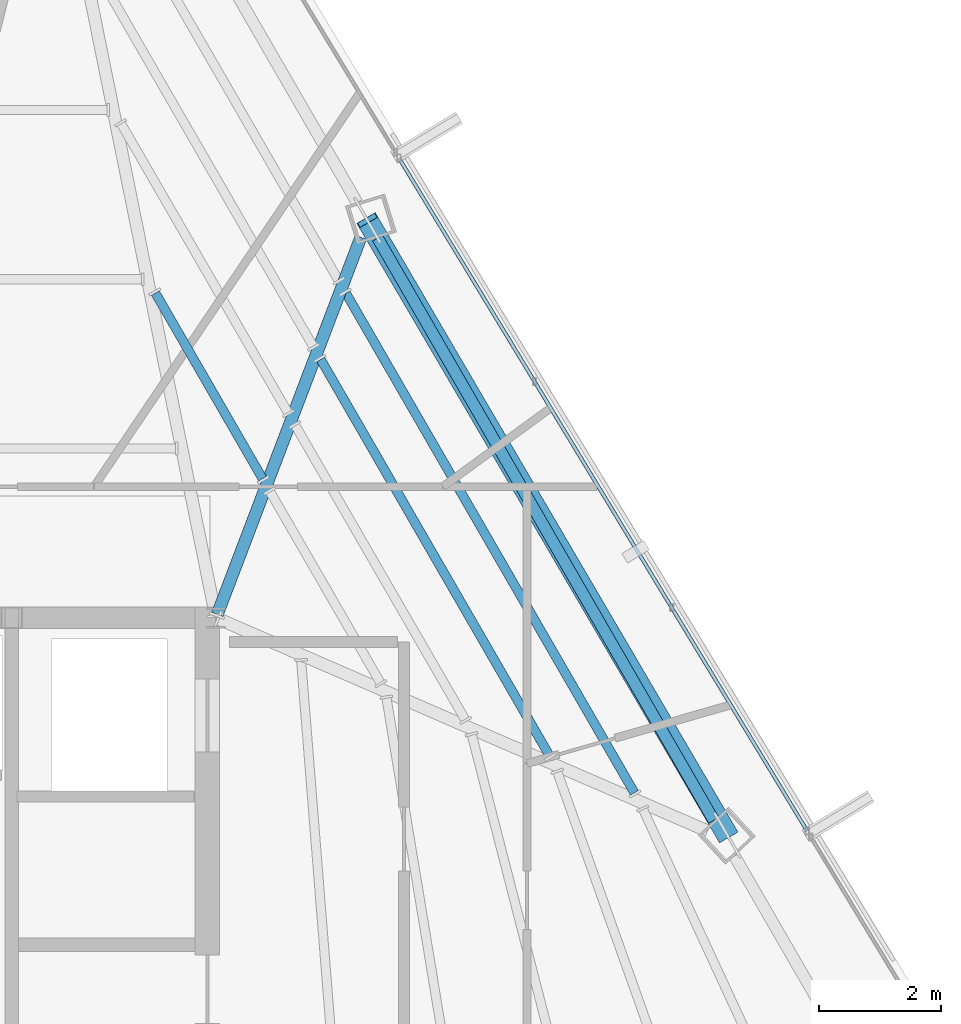
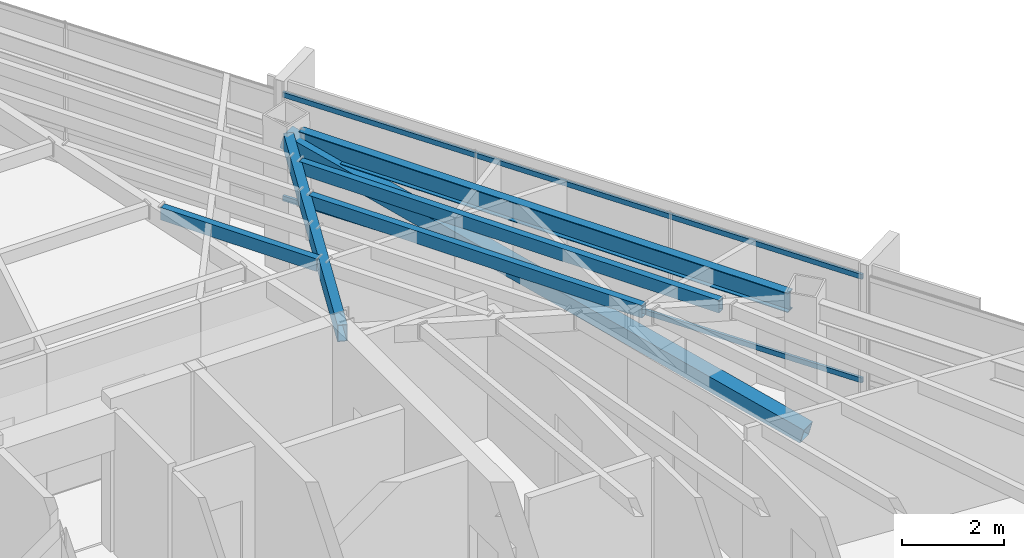
# One storey, part 27 of 45: 5 beams, 3 members, 1 element without a shape of its own.
"""IFC4 building model written with IfcOpenShell, lengths in metres."""

from ifc_helpers import new_model, si_unit, direction, frame, origin, origin_2d, place, context, subcontext, project, spatial, hollow_rectangle, i_section, extrude, source, transform, mapped, material, material_profile, profile_set, type_object, type_shapes, element, aggregate, save


model = new_model("IFC4")

# Units and contexts
model_context = context("Model", 3, precision=1e-05, world=origin(), true_north=direction((0.0, 1.0)))
body_context = subcontext(model_context, "Body", "Model", "MODEL_VIEW")
ifc_project = project(units=[si_unit("LENGTHUNIT", "METRE"), si_unit("AREAUNIT", "SQUARE_METRE"), si_unit("VOLUMEUNIT", "CUBIC_METRE"), si_unit("PLANEANGLEUNIT", "RADIAN"), si_unit("MASSUNIT", "GRAM", prefix="KILO")], contexts=[model_context])

# Site, building, storey
site_placement = place(None, origin())
site = spatial("IfcSite", under=ifc_project, at=site_placement, CompositionType="ELEMENT")
building_placement = place(site_placement, origin())
building = spatial("IfcBuilding", under=site, at=building_placement, Name="Caelisora Broadcast Tower", CompositionType="ELEMENT")
storey_placement = place(building_placement, frame((0.0, 0.0, 240.800048828125)))
storey = spatial("IfcBuildingStorey", under=building, at=storey_placement, Name="L63", CompositionType="ELEMENT", Elevation=240.800048828125)

# Beams
ifc_material_1 = material(Name="Steel Grade 350 (AS/NZS 3679.1)", Category="steel")
ifc_material_profile_1 = material_profile(ifc_material_1, i_section(OverallWidth=0.19091796875, OverallDepth=0.46044921875, WebThickness=0.010009765625, FlangeThickness=0.01611328125, at=origin_2d()), Name="Steel Grade 350 (AS/NZS 3679.1)")
ifc_profile_set_1 = profile_set([ifc_material_profile_1], Name="Steel Grade 350 (AS/NZS 3679.1)")
beam_type_1 = type_object("IfcBeamType", Name="PG06", PredefinedType="BEAM", material=ifc_profile_set_1)
shared_shape_1 = source(origin(), body_context, "Body", "SweptSolid", [
    extrude(i_section(OverallWidth=0.19091796875, OverallDepth=0.46044921875, WebThickness=0.010009765625, FlangeThickness=0.01611328125, at=origin_2d()), origin(), (0.0, 0.0, 1.0), 11.02587890625),
])
type_shapes(beam_type_1, [shared_shape_1])
beam_1_placement = place(storey_placement, frame((53.664306640625, 26.677978515625, 3.169677734375), z_axis=(-0.499994623926, 0.86602850764, 0.0), x_axis=(-0.86602850764, -0.499994623926, 0.0)))
element("IfcBeam", 1, at=beam_1_placement, inside=storey, type_object=beam_type_1, Name="L63 beam PG06", PredefinedType="BEAM", context=body_context, shape_type="MappedRepresentation", body=[
    mapped(shared_shape_1, transform((0.0, 0.0, 0.0), scale=1.0)),
])
ifc_material_2 = material(Name="Steel Grade 350 (AS/NZS 1163 C350L0)", Category="steel")
ifc_material_profile_2 = material_profile(ifc_material_2, hollow_rectangle(XDim=0.199951171875, YDim=0.39990234375, WallThickness=0.012451171875, at=origin_2d()), Name="Steel Grade 350 (AS/NZS 1163 C350L0)")
ifc_profile_set_2 = profile_set([ifc_material_profile_2], Name="Steel Grade 350 (AS/NZS 1163 C350L0)")
beam_type_2 = type_object("IfcBeamType", Name="PG07", PredefinedType="BEAM", material=ifc_profile_set_2)
shared_shape_2 = source(origin(), body_context, "Body", "SweptSolid", [
    extrude(hollow_rectangle(XDim=0.199951171875, YDim=0.39990234375, WallThickness=0.012451171875, at=origin_2d()), origin(), (0.0, 0.0, 1.0), 6.617919921875),
])
type_shapes(beam_type_2, [shared_shape_2])
beam_2_placement = place(storey_placement, frame((45.521484375, 30.05615234375, 3.199951171875), z_axis=(0.355844985395, 0.934544994299, 0.0), x_axis=(-0.934544994299, 0.355844985395, 0.0)))
element("IfcBeam", 2, at=beam_2_placement, inside=storey, type_object=beam_type_2, Name="L63 beam PG07", PredefinedType="BEAM", context=body_context, shape_type="MappedRepresentation", body=[
    mapped(shared_shape_2, transform((0.0, 0.0, 0.0), scale=1.0)),
])
ifc_material_profile_3 = material_profile(ifc_material_2, hollow_rectangle(XDim=0.14990234375, YDim=0.300048828125, WallThickness=0.010009765625, at=origin_2d()), Name="Steel Grade 350 (AS/NZS 1163 C350L0)")
ifc_profile_set_3 = profile_set([ifc_material_profile_3], Name="Steel Grade 350 (AS/NZS 1163 C350L0)")
beam_type_3 = type_object("IfcBeamType", Name="SB05", PredefinedType="JOIST", material=ifc_profile_set_3)
shared_shape_3 = source(origin(), body_context, "Body", "SweptSolid", [
    extrude(hollow_rectangle(XDim=0.14990234375, YDim=0.300048828125, WallThickness=0.010009765625, at=origin_2d()), origin(), (0.0, 0.0, 1.0), 3.514404296875),
])
beam_3_placement = place(storey_placement, frame((46.264404296875, 32.2822265625, 3.25), z_axis=(-0.499956974429, 0.866050243185, 0.0), x_axis=(-0.866050243185, -0.499956974429, 0.0)))
element("IfcBeam", 3, at=beam_3_placement, inside=storey, type_object=beam_type_3, Name="L63 beam SB05", PredefinedType="JOIST", context=body_context, shape_type="MappedRepresentation", body=[
    mapped(shared_shape_3, transform((0.0, 0.0, 0.0), scale=1.0)),
])
shared_shape_4 = source(origin(), body_context, "Body", "SweptSolid", [
    extrude(hollow_rectangle(XDim=0.14990234375, YDim=0.300048828125, WallThickness=0.010009765625, at=origin_2d()), origin(), (0.0, 0.0, 1.0), 7.510498046875),
])
beam_4_placement = place(storey_placement, frame((50.97314453125, 27.73291015625, 3.25), z_axis=(-0.499981328069, 0.86603618376, 0.0), x_axis=(-0.86603618376, -0.499981328069, 0.0)))
element("IfcBeam", 4, at=beam_4_placement, inside=storey, type_object=beam_type_3, Name="L63 beam SB05", PredefinedType="JOIST", context=body_context, shape_type="MappedRepresentation", body=[
    mapped(shared_shape_4, transform((0.0, 0.0, 0.0), scale=1.0)),
])
shared_shape_5 = source(origin(), body_context, "Body", "SweptSolid", [
    extrude(hollow_rectangle(XDim=0.14990234375, YDim=0.300048828125, WallThickness=0.010009765625, at=origin_2d()), origin(), (0.0, 0.0, 1.0), 9.460693359375),
])
type_shapes(beam_type_3, [shared_shape_3, shared_shape_4, shared_shape_5])
beam_5_placement = place(storey_placement, frame((52.362060546875, 27.130615234375, 3.25), z_axis=(-0.500013592824, 0.866017555821, 0.0), x_axis=(-0.866017555821, -0.500013592824, 0.0)))
element("IfcBeam", 5, at=beam_5_placement, inside=storey, type_object=beam_type_3, Name="L63 beam SB05", PredefinedType="JOIST", context=body_context, shape_type="MappedRepresentation", body=[
    mapped(shared_shape_5, transform((0.0, 0.0, 0.0), scale=1.0)),
])

# Member
ifc_material_3 = material(Name="Steel Grade 450 (AS/NZS 1163 C450L0)", Category="steel")
ifc_material_profile_4 = material_profile(ifc_material_3, hollow_rectangle(XDim=0.35009765625, YDim=0.35009765625, WallThickness=0.012451171875, at=origin_2d()), Name="Steel Grade 450 (AS/NZS 1163 C450L0)")
ifc_profile_set_4 = profile_set([ifc_material_profile_4], Name="Steel Grade 450 (AS/NZS 1163 C450L0)")
member_type_1 = type_object("IfcMemberType", Name="BR05", PredefinedType="BRACE", material=ifc_profile_set_4)
shared_shape_6 = source(origin(), body_context, "Body", "SweptSolid", [
    extrude(hollow_rectangle(XDim=0.35009765625, YDim=0.35009765625, WallThickness=0.012451171875, at=origin_2d()), origin(), (0.0, 0.0, 1.0), 12.064697265625),
])
type_shapes(member_type_1, [shared_shape_6])
member_1_placement = place(storey_placement, frame((53.8876953125, 26.435546875, 0.099853515625), z_axis=(-0.489463698392, 0.835819770067, 0.248657595743), x_axis=(-0.862922926587, -0.505335554627, 0.0)))
element("IfcMember", 6, at=member_1_placement, inside=storey, type_object=member_type_1, Name="L63 perimeter brace BR05", PredefinedType="BRACE", context=body_context, shape_type="MappedRepresentation", body=[
    mapped(shared_shape_6, transform((0.0, 0.0, 0.0), scale=1.0)),
])

# Curtain wall, members
ifc_material_4 = material(Name="Unitised Aluminium Insulated Shadow-Box Spandrel Curtain Wall", Category="aluminium")
curtain_wall_type = type_object("IfcCurtainWallType", Name="CW-SP3", PredefinedType="NOTDEFINED", material=ifc_material_4)
curtain_wall_placement = place(storey_placement, origin())
curtain_wall = element("IfcCurtainWall", 7, at=curtain_wall_placement, inside=storey, type_object=curtain_wall_type, Name="L63 curtain wall CW-SP3", PredefinedType="NOTDEFINED")
ifc_material_5 = material(Name="Aluminium 6063-T6 Anodised Terracotta Bronze", Category="aluminium")
ifc_material_profile_5 = material_profile(ifc_material_5, hollow_rectangle(XDim=0.06005859375, YDim=0.1201171875, WallThickness=0.0029296875, at=origin_2d()), Name="Aluminium 6063-T6 Anodised Terracotta Bronze")
ifc_profile_set_5 = profile_set([ifc_material_profile_5], Name="Aluminium 6063-T6 Anodised Terracotta Bronze")
member_type_2 = type_object("IfcMemberType", Name="CWT-03", PredefinedType="USERDEFINED", material=ifc_profile_set_5)
shared_shape_7 = source(origin(), body_context, "Body", "SweptSolid", [
    extrude(hollow_rectangle(XDim=0.06005859375, YDim=0.1201171875, WallThickness=0.0029296875, at=origin_2d()), origin(), (0.0, 0.0, 1.0), 12.906494140625),
])
type_shapes(member_type_2, [shared_shape_7])
member_2_placement = place(storey_placement, frame((48.50244140625, 37.5390625, 0.849853515625), z_axis=(0.518642927717, -0.854990943536, 0.0), x_axis=(0.854990943536, 0.518642927717, 0.0)))
member_2 = element("IfcMember", 8, at=member_2_placement, type_object=member_type_2, Name="L63-CW-B02 transom #1", ObjectType="TRANSOM", PredefinedType="USERDEFINED", context=body_context, shape_type="MappedRepresentation", body=[
    mapped(shared_shape_7, transform((0.0, 0.0, 0.0), scale=1.0)),
])
member_3_placement = place(storey_placement, frame((48.50244140625, 37.5390625, 3.320068359375), z_axis=(0.518642927717, -0.854990943536, 0.0), x_axis=(0.854990943536, 0.518642927717, 0.0)))
member_3 = element("IfcMember", 9, at=member_3_placement, type_object=member_type_2, Name="L63-CW-B02 transom #2", ObjectType="TRANSOM", PredefinedType="USERDEFINED", context=body_context, shape_type="MappedRepresentation", body=[
    mapped(shared_shape_7, transform((0.0, 0.0, 0.0), scale=1.0)),
])
aggregate(curtain_wall, [member_2, member_3])

save(model, "model.ifc")
